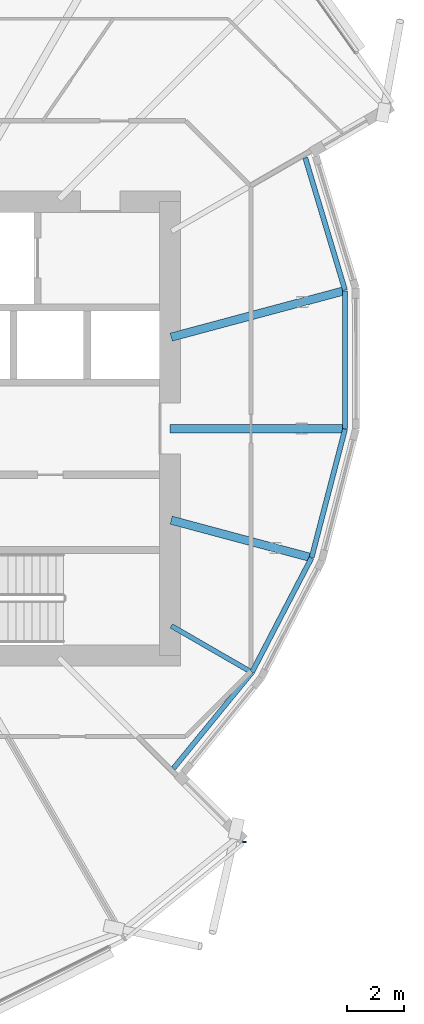
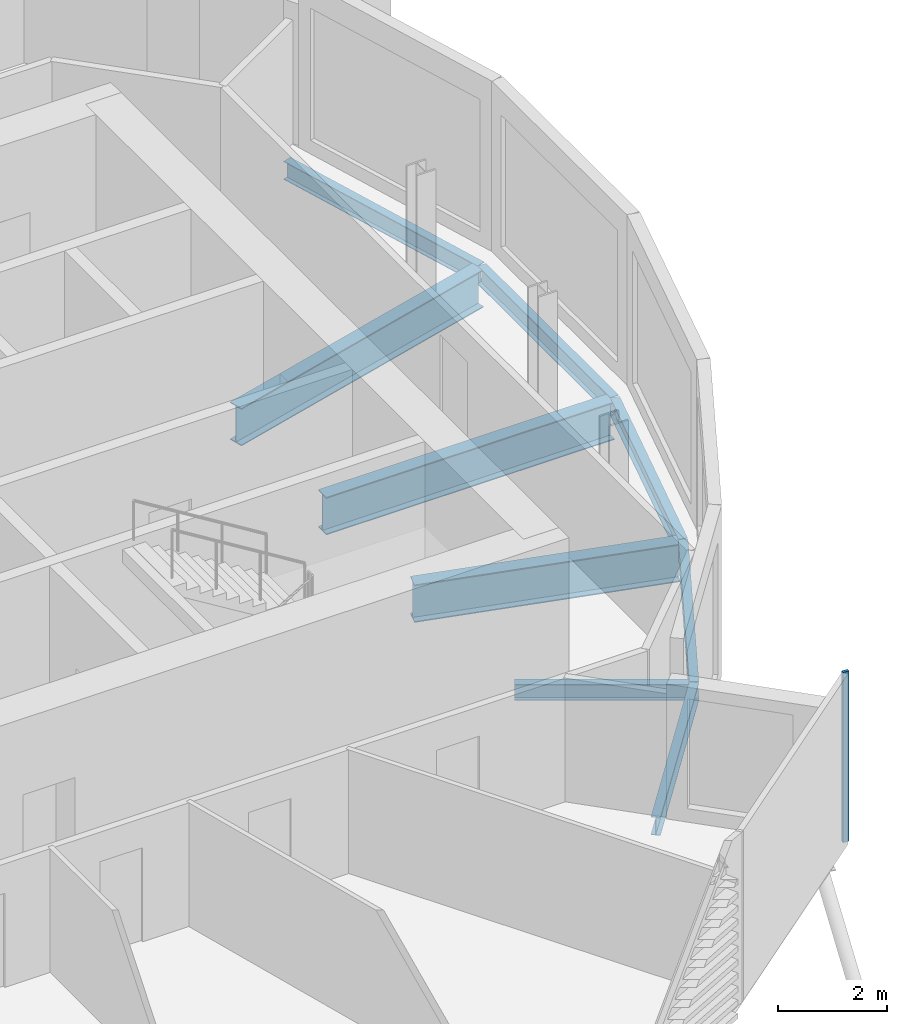
# One storey, part 16 of 38: 9 beams, 1 member, 1 element without a shape of its own.
"""IFC4 building model written with IfcOpenShell, lengths in metres."""

from ifc_helpers import new_model, si_unit, direction, frame, origin, origin_2d, place, context, subcontext, project, spatial, rectangle, i_section, extrude, material, material_profile, profile_set, type_object, element, aggregate, save


model = new_model("IFC4")

# Units and contexts
model_context = context("Model", 3, precision=1e-05, world=origin(), true_north=direction((0.0, 1.0)))
body_context = subcontext(model_context, "Body", "Model", "MODEL_VIEW")
ifc_project = project(units=[si_unit("LENGTHUNIT", "METRE"), si_unit("AREAUNIT", "SQUARE_METRE"), si_unit("VOLUMEUNIT", "CUBIC_METRE"), si_unit("PLANEANGLEUNIT", "RADIAN"), si_unit("MASSUNIT", "GRAM", prefix="KILO")], contexts=[model_context])

# Site, building, storey
site_placement = place(None, origin())
site = spatial("IfcSite", under=ifc_project, at=site_placement, CompositionType="ELEMENT")
building_placement = place(site_placement, origin())
building = spatial("IfcBuilding", under=site, at=building_placement, Name="Rimbun Link Towers", CompositionType="ELEMENT")
storey_placement = place(building_placement, frame((0.0, 0.0, 123.39990234375)))
storey = spatial("IfcBuildingStorey", under=building, at=storey_placement, Name="L30", CompositionType="ELEMENT", Elevation=123.39990234375)

# Curtain wall, member
ifc_material_1 = material(Name="Aluminium 6063-T6 and low-iron glass", Category="aluminium")
curtain_wall_type = type_object("IfcCurtainWallType", Name="CW1-Z2 unitised vision wall (zone 2)", PredefinedType="NOTDEFINED", material=ifc_material_1)
curtain_wall_placement = place(storey_placement, origin())
curtain_wall = element("IfcCurtainWall", 1, at=curtain_wall_placement, inside=storey, type_object=curtain_wall_type, Name="CW1 L30 T2", PredefinedType="NOTDEFINED")
ifc_material_2 = material(Name="Aluminium 6063-T6", Category="aluminium")
ifc_material_profile_1 = material_profile(ifc_material_2, rectangle(XDim=0.1201171875, YDim=0.06005859375, at=origin_2d()), Name="MULLION 60X120")
ifc_profile_set_1 = profile_set([ifc_material_profile_1], Name="Aluminium 6063-T6")
member_type = type_object("IfcMemberType", Name="CW1 mullion 60X120", PredefinedType="MULLION", material=ifc_profile_set_1)
member_placement = place(storey_placement, frame((46.375732421875, -14.56884765625, 0.0), z_axis=(0.0, 0.0, 1.0), x_axis=(0.998624070401, -0.052440118373, 0.0)))
member = element("IfcMember", 2, at=member_placement, type_object=member_type, Name="CW1 mullion", PredefinedType="MULLION", context=body_context, shape_type="SweptSolid", body=[
    extrude(rectangle(XDim=0.1201171875, YDim=0.06005859375, at=origin_2d()), origin(), (0.0, 0.0, 1.0), 3.800048828125),
])
aggregate(curtain_wall, [member])

# Beams
ifc_material_3 = material(Name="Steel S355J2", Category="steel")
ifc_material_profile_2 = material_profile(ifc_material_3, i_section(OverallWidth=0.17138671875, OverallDepth=0.35498046875, WebThickness=0.00732421875, FlangeThickness=0.011474609375, at=origin_2d()), Name="UB 356x171x51")
ifc_profile_set_2 = profile_set([ifc_material_profile_2], Name="Steel S355J2")
beam_type_1 = type_object("IfcBeamType", Name="UB 356x171x51", PredefinedType="BEAM", material=ifc_profile_set_2)
beam_1_placement = place(storey_placement, frame((43.793701171875, -6.95361328125, -0.33740234375), z_axis=(0.866035201123, -0.499983030129, 0.0), x_axis=(0.499983030129, 0.866035201123, 0.0)))
element("IfcBeam", 3, at=beam_1_placement, inside=storey, type_object=beam_type_1, Name="Radial beam T2 L30 19", PredefinedType="BEAM", context=body_context, shape_type="SweptSolid", body=[
    extrude(i_section(OverallWidth=0.17138671875, OverallDepth=0.35498046875, WebThickness=0.00732421875, FlangeThickness=0.011474609375, at=origin_2d()), origin(), (0.0, 0.0, 1.0), 3.18994140625),
])
ifc_material_4 = material(Name="Steel S355J2", Category="steel")
ifc_material_profile_3 = material_profile(ifc_material_4, i_section(OverallWidth=0.177978515625, OverallDepth=0.406494140625, WebThickness=0.0078125, FlangeThickness=0.0126953125, at=origin_2d()), Name="UB 406x178x60")
ifc_profile_set_3 = profile_set([ifc_material_profile_3], Name="Steel S355J2")
beam_type_2 = type_object("IfcBeamType", Name="UB 406x178x60", PredefinedType="BEAM", material=ifc_profile_set_3)
beam_2_placement = place(storey_placement, frame((43.871337890625, -11.97314453125, -0.363037109375), z_axis=(0.632999655287, 0.774152075762, 0.0), x_axis=(-0.774152075762, 0.632999655287, 0.0)))
element("IfcBeam", 4, at=beam_2_placement, inside=storey, type_object=beam_type_2, Name="Edge beam T2 L30 18 recess", PredefinedType="BEAM", context=body_context, shape_type="SweptSolid", body=[
    extrude(i_section(OverallWidth=0.177978515625, OverallDepth=0.406494140625, WebThickness=0.0078125, FlangeThickness=0.0126953125, at=origin_2d()), origin(), (0.0, 0.0, 1.0), 4.355224609375),
])
beam_3_placement = place(storey_placement, frame((46.63916015625, -8.58447265625, -0.363037109375), z_axis=(0.461434099946, 0.887174487576, 0.0), x_axis=(-0.887174487576, 0.461434099946, 0.0)))
element("IfcBeam", 5, at=beam_3_placement, inside=storey, type_object=beam_type_2, Name="Edge beam T2 L30 19 recess", PredefinedType="BEAM", context=body_context, shape_type="SweptSolid", body=[
    extrude(i_section(OverallWidth=0.177978515625, OverallDepth=0.406494140625, WebThickness=0.0078125, FlangeThickness=0.0126953125, at=origin_2d()), origin(), (0.0, 0.0, 1.0), 4.534912109375),
])
beam_4_placement = place(storey_placement, frame((48.739501953125, -4.541015625, -0.363037109375), z_axis=(0.252012028288, 0.967724102003, 0.0), x_axis=(-0.967724102003, 0.252012028288, 0.0)))
element("IfcBeam", 6, at=beam_4_placement, inside=storey, type_object=beam_type_2, Name="Edge beam T2 L30 20 recess", PredefinedType="BEAM", context=body_context, shape_type="SweptSolid", body=[
    extrude(i_section(OverallWidth=0.177978515625, OverallDepth=0.406494140625, WebThickness=0.0078125, FlangeThickness=0.0126953125, at=origin_2d()), origin(), (0.0, 0.0, 1.0), 4.68017578125),
])
beam_5_placement = place(storey_placement, frame((49.922119140625, 0.012451171875, -0.363037109375), z_axis=(-0.000252092359, 0.999999968225, 0.0), x_axis=(-0.999999968225, -0.000252092359, 0.0)))
element("IfcBeam", 7, at=beam_5_placement, inside=storey, type_object=beam_type_2, Name="Edge beam T2 L30 21 recess", PredefinedType="BEAM", context=body_context, shape_type="SweptSolid", body=[
    extrude(i_section(OverallWidth=0.177978515625, OverallDepth=0.406494140625, WebThickness=0.0078125, FlangeThickness=0.0126953125, at=origin_2d()), origin(), (0.0, 0.0, 1.0), 4.84228515625),
])
beam_6_placement = place(storey_placement, frame((49.916748046875, 4.88232421875, -0.363037109375), z_axis=(-0.28766988803, 0.957729625479, 0.0), x_axis=(-0.957729625479, -0.28766988803, 0.0)))
element("IfcBeam", 8, at=beam_6_placement, inside=storey, type_object=beam_type_2, Name="Edge beam T2 L30 22 recess", PredefinedType="BEAM", context=body_context, shape_type="SweptSolid", body=[
    extrude(i_section(OverallWidth=0.177978515625, OverallDepth=0.406494140625, WebThickness=0.0078125, FlangeThickness=0.0126953125, at=origin_2d()), origin(), (0.0, 0.0, 1.0), 4.868896484375),
])
ifc_material_5 = material(Name="Steel S355J2", Category="steel")
ifc_material_profile_4 = material_profile(ifc_material_5, i_section(OverallWidth=0.29248046875, OverallDepth=0.8408203125, WebThickness=0.0126953125, FlangeThickness=0.021728515625, at=origin_2d()), Name="UB 838x292x194")
ifc_profile_set_4 = profile_set([ifc_material_profile_4], Name="Steel S355J2")
beam_type_3 = type_object("IfcBeamType", Name="UB 838x292x194", PredefinedType="BEAM", material=ifc_profile_set_4)
beam_7_placement = place(storey_placement, frame((43.788818359375, -3.225830078125, -0.580322265625), z_axis=(0.965920980166, -0.258837130403, 0.0), x_axis=(0.258837130403, 0.965920980166, 0.0)))
element("IfcBeam", 9, at=beam_7_placement, inside=storey, type_object=beam_type_3, Name="Radial beam T2 L30 20", PredefinedType="BEAM", context=body_context, shape_type="SweptSolid", body=[
    extrude(i_section(OverallWidth=0.29248046875, OverallDepth=0.8408203125, WebThickness=0.0126953125, FlangeThickness=0.021728515625, at=origin_2d()), origin(), (0.0, 0.0, 1.0), 5.031982421875),
])
beam_8_placement = place(storey_placement, frame((43.7509765625, 0.0, -0.580322265625), z_axis=(1.0, 0.0, 0.0), x_axis=(0.0, 1.0, 0.0)))
element("IfcBeam", 10, at=beam_8_placement, inside=storey, type_object=beam_type_3, Name="Radial beam T2 L30 21", PredefinedType="BEAM", context=body_context, shape_type="SweptSolid", body=[
    extrude(i_section(OverallWidth=0.29248046875, OverallDepth=0.8408203125, WebThickness=0.0126953125, FlangeThickness=0.021728515625, at=origin_2d()), origin(), (0.0, 0.0, 1.0), 6.080322265625),
])
beam_9_placement = place(storey_placement, frame((43.788818359375, 3.225830078125, -0.580322265625), z_axis=(0.965927328821, 0.258813437513, 0.0), x_axis=(-0.258813437513, 0.965927328821, 0.0)))
element("IfcBeam", 11, at=beam_9_placement, inside=storey, type_object=beam_type_3, Name="Radial beam T2 L30 22", PredefinedType="BEAM", context=body_context, shape_type="SweptSolid", body=[
    extrude(i_section(OverallWidth=0.29248046875, OverallDepth=0.8408203125, WebThickness=0.0126953125, FlangeThickness=0.021728515625, at=origin_2d()), origin(), (0.0, 0.0, 1.0), 6.2578125),
])

save(model, "model.ifc")
